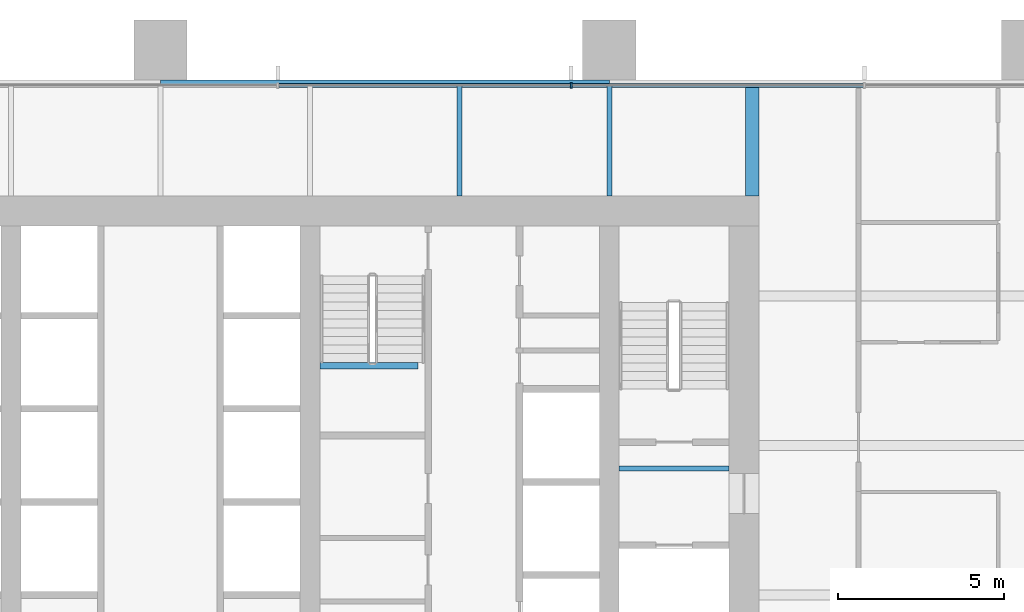
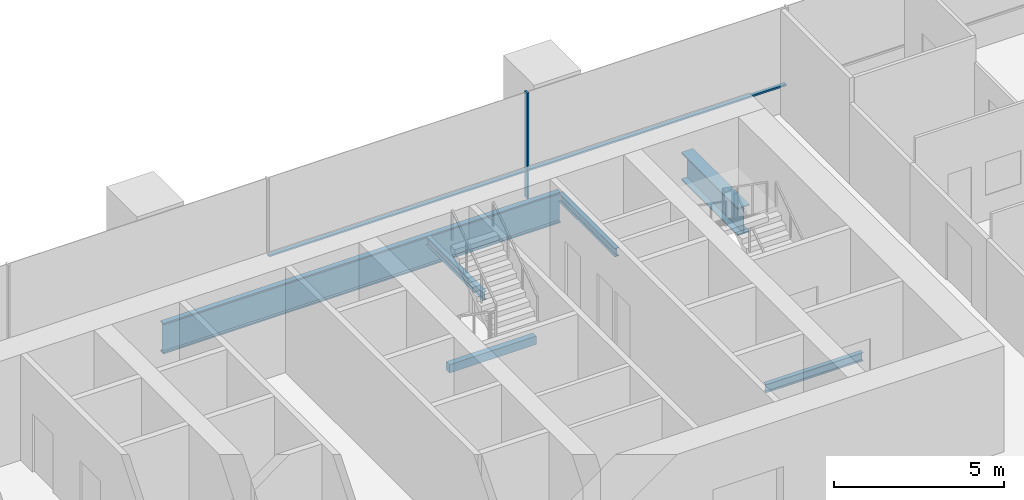
# One storey, part 9 of 17: 6 beams, 3 members, 1 element without a shape of its own.
"""IFC4 building model written with IfcOpenShell, lengths in metres."""

import ifcopenshell
import ifcopenshell.guid

model = None  # the IFC model being written
_history = None  # IfcOwnerHistory: only IFC2X3 demands one
_inside = {}  # id of a spatial element -> (the spatial element, [elements in it])
_under = {}  # id of a project, library or spatial element -> (it, [spatial elements below it])
_declared = {}  # id of a project -> (the project, [libraries it declares])
_typed = {}  # id of a type object -> (the type object, [elements of that type])
_made_of = {}  # id of a material, layer set ... -> (it, [elements and type objects made of it])


def new_model(schema):
    """Start an empty IFC model of exactly this schema.

    Asked for "IFC4X3", IfcOpenShell would pick the latest addendum, in which some entities
    have other attributes; the version numbers below select the first issue.
    IFC2X3 requires an IfcOwnerHistory on every rooted entity: one is made here for all.
    """
    global model, _history
    if schema == "IFC4X3":
        model = ifcopenshell.file(schema_version=(4, 3, 0, 0))
    else:
        model = ifcopenshell.file(schema=schema)
    _inside.clear()
    _under.clear()
    _declared.clear()
    _typed.clear()
    _made_of.clear()
    _history = None
    if model.schema == "IFC2X3":
        org = make("IfcOrganization", Name="unknown")
        user = make(
            "IfcPersonAndOrganization",
            ThePerson=make("IfcPerson", FamilyName="unknown"),
            TheOrganization=org,
        )
        app = make(
            "IfcApplication",
            ApplicationDeveloper=org,
            Version="unknown",
            ApplicationFullName="unknown",
            ApplicationIdentifier="unknown",
        )
        _history = make(
            "IfcOwnerHistory",
            OwningUser=user,
            OwningApplication=app,
            ChangeAction="ADDED",
            CreationDate=0,
        )
    return model


def make(cls, **values):
    """One entity of the class cls with the attributes given. An attribute that is None is left unset."""
    return model.create_entity(
        cls, **{name: value for name, value in values.items() if value is not None}
    )


def rooted(cls, **values):
    """An entity with a GlobalId (a new one), such as an element, a storey or a relation."""
    return make(cls, GlobalId=ifcopenshell.guid.new(), OwnerHistory=_history, **values)


def si_unit(unit_type, name, prefix=None):
    """IfcSIUnit, for example si_unit("LENGTHUNIT", "METRE", prefix="MILLI")."""
    return make("IfcSIUnit", UnitType=unit_type, Prefix=prefix, Name=name)


def assignment(units):
    """IfcUnitAssignment: the units of a project."""
    return None if units is None else make("IfcUnitAssignment", Units=units)


def point(xyz):
    """IfcCartesianPoint."""
    return None if xyz is None else make("IfcCartesianPoint", Coordinates=xyz)


def direction(xyz):
    """IfcDirection."""
    return None if xyz is None else make("IfcDirection", DirectionRatios=xyz)


def frame(location, z_axis=None, x_axis=None):
    """IfcAxis2Placement3D, a coordinate frame: its origin and axes. An axis left out is left unset."""
    return make(
        "IfcAxis2Placement3D",
        Location=point(location),
        Axis=direction(z_axis),
        RefDirection=direction(x_axis),
    )


def frame_2d(location, x_axis=None):
    """IfcAxis2Placement2D, a coordinate frame in the plane: its origin and x axis."""
    return make(
        "IfcAxis2Placement2D", Location=point(location), RefDirection=direction(x_axis)
    )


def origin():
    """The frame at (0, 0, 0) with its axes left unset."""
    return frame((0.0, 0.0, 0.0))


def origin_2d():
    """The frame at (0, 0) in the plane with its x axis left unset."""
    return frame_2d((0.0, 0.0))


def place(relative_to, where):
    """IfcLocalPlacement: puts the frame where relative to a parent placement (None: the world)."""
    return make(
        "IfcLocalPlacement", PlacementRelTo=relative_to, RelativePlacement=where
    )


def context(
    kind, dimensions, precision=None, world=None, true_north=None, identifier=None
):
    """IfcGeometricRepresentationContext, for example the 3D "Model" context."""
    return make(
        "IfcGeometricRepresentationContext",
        ContextIdentifier=identifier,
        ContextType=kind,
        CoordinateSpaceDimension=dimensions,
        Precision=precision,
        WorldCoordinateSystem=world,
        TrueNorth=true_north,
    )


def subcontext(parent, identifier, kind, view, scale=None):
    """IfcGeometricRepresentationSubContext, for example "Body" below "Model"."""
    return make(
        "IfcGeometricRepresentationSubContext",
        ContextIdentifier=identifier,
        ContextType=kind,
        ParentContext=parent,
        TargetScale=scale,
        TargetView=view,
    )


def project(units=None, contexts=None):
    """IfcProject with its units and contexts."""
    return rooted(
        "IfcProject",
        Name="project",
        RepresentationContexts=contexts,
        UnitsInContext=assignment(units),
    )


def spatial(cls, under=None, at=None, **own):
    """A site, building, storey or space (cls), placed at a placement, below another one or the project."""
    s = rooted(cls, ObjectPlacement=at, **own)
    if under is not None:
        _under.setdefault(under.id(), (under, []))[1].append(s)
    return s


def profile(cls, at=None, kind="AREA", **sizes):
    """A parametric profile (cls). Its sizes go by their IFC names, for example OverallWidth=200.0."""
    return make(cls, ProfileType=kind, Position=at, **sizes)


def rectangle(**sizes):
    """IfcRectangleProfileDef."""
    return profile("IfcRectangleProfileDef", **sizes)


def i_section(**sizes):
    """IfcIShapeProfileDef."""
    return profile("IfcIShapeProfileDef", **sizes)


def extrude(swept, where, along, depth):
    """IfcExtrudedAreaSolid: the profile swept, set in the frame where, extruded along a direction by depth."""
    return make(
        "IfcExtrudedAreaSolid",
        SweptArea=swept,
        Position=where,
        ExtrudedDirection=direction(along),
        Depth=depth,
    )


def shape(context_of_items, identifier, shape_type, items):
    """IfcShapeRepresentation: the items that make up one representation, for example the "Body"."""
    return make(
        "IfcShapeRepresentation",
        ContextOfItems=context_of_items,
        RepresentationIdentifier=identifier,
        RepresentationType=shape_type,
        Items=items,
    )


def material(Name=None, Category=None):
    """IfcMaterial."""
    return make("IfcMaterial", Name=Name, Category=Category)


def material_profile(
    of_material, cross_section, Name=None, Category=None, Priority=None
):
    """IfcMaterialProfile: a cross section and its material."""
    return make(
        "IfcMaterialProfile",
        Name=Name,
        Material=of_material,
        Profile=cross_section,
        Priority=Priority,
        Category=Category,
    )


def profile_set(profiles, Name=None, composite=None):
    """IfcMaterialProfileSet."""
    return make(
        "IfcMaterialProfileSet",
        Name=Name,
        MaterialProfiles=profiles,
        CompositeProfile=composite,
    )


def made_of(thing, what):
    """Note that an element or type object is made of a material, layer set ...; save() writes the relation."""
    if what is not None:
        _made_of.setdefault(what.id(), (what, []))[1].append(thing)
    return thing


def type_object(cls, material=None, **own):
    """A type object (cls), such as IfcWallType, which elements share."""
    return made_of(rooted(cls, **own), material)


def element(
    cls,
    number,
    at=None,
    inside=None,
    cuts=None,
    type_object=None,
    material=None,
    context=None,
    identifier="Body",
    shape_type=None,
    held_by="IfcProductDefinitionShape",
    body=None,
    shapes=None,
    **own,
):
    """One element of the class cls, such as IfcWall. Its Tag is "e" and its number.

    at: its placement. inside: the storey or other place that contains it. cuts: it is an
    opening in that element (IfcRelVoidsElement). A single representation is given by context,
    identifier, shape_type and body (its items); several are given by shapes. held_by: the class
    of the entity that holds the representations. save() writes the other relations.
    """
    e = rooted(cls, Tag="e%d" % number, ObjectPlacement=at, **own)
    if body is not None:
        shapes = [shape(context, identifier, shape_type, body)]
    if shapes is not None:
        e.Representation = make(held_by, Representations=shapes)
    if inside is not None:
        _inside.setdefault(inside.id(), (inside, []))[1].append(e)
    if cuts is not None:
        rooted(
            "IfcRelVoidsElement", RelatingBuildingElement=cuts, RelatedOpeningElement=e
        )
    if type_object is not None:
        _typed.setdefault(type_object.id(), (type_object, []))[1].append(e)
    return made_of(e, material)


def aggregate(whole, parts):
    """IfcRelAggregates: a whole, such as a stair, and the parts it consists of."""
    return rooted("IfcRelAggregates", RelatingObject=whole, RelatedObjects=parts)


def save(model, path):
    """Write the relations noted so far, then the file.

    IfcRelAggregates (storeys below a building ...), IfcRelContainedInSpatialStructure (elements
    in a storey), IfcRelDefinesByType, IfcRelAssociatesMaterial and IfcRelDeclares: one each for
    every whole, place, type object, material and project.
    """
    for whole, parts in _under.values():
        aggregate(whole, parts)
    for where, things in _inside.values():
        rooted(
            "IfcRelContainedInSpatialStructure",
            RelatedElements=things,
            RelatingStructure=where,
        )
    for kind, things in _typed.values():
        rooted("IfcRelDefinesByType", RelatedObjects=things, RelatingType=kind)
    for what, things in _made_of.values():
        rooted("IfcRelAssociatesMaterial", RelatedObjects=things, RelatingMaterial=what)
    for by, libraries in _declared.values():
        rooted("IfcRelDeclares", RelatingContext=by, RelatedDefinitions=libraries)
    model.write(path)


model = new_model("IFC4")

# Units and contexts
model_context = context("Model", 3, precision=1e-05, world=origin(), true_north=direction((0.0, 1.0)))
body_context = subcontext(model_context, "Body", "Model", "MODEL_VIEW")
ifc_project = project(units=[si_unit("LENGTHUNIT", "METRE"), si_unit("AREAUNIT", "SQUARE_METRE"), si_unit("VOLUMEUNIT", "CUBIC_METRE"), si_unit("PLANEANGLEUNIT", "RADIAN"), si_unit("MASSUNIT", "GRAM", prefix="KILO")], contexts=[model_context])

# Site, building, storey
site_placement = place(None, origin())
site = spatial("IfcSite", under=ifc_project, at=site_placement, CompositionType="ELEMENT")
building_placement = place(site_placement, origin())
building = spatial("IfcBuilding", under=site, at=building_placement, Name="Rattan Terrace Tower", CompositionType="ELEMENT")
storey_placement = place(building_placement, frame((0.0, 0.0, 83.699951171875)))
storey = spatial("IfcBuildingStorey", under=building, at=storey_placement, Name="L18", CompositionType="ELEMENT", Elevation=83.699951171875)

# Beam
ifc_material_1 = material(Name="Concrete C40/50", Category="concrete")
ifc_material_profile_1 = material_profile(ifc_material_1, rectangle(XDim=0.199951171875, YDim=0.300048828125, at=origin_2d()), Name="RC 200x300")
ifc_profile_set_1 = profile_set([ifc_material_profile_1], Name="Concrete C40/50")
beam_type_1 = type_object("IfcBeamType", Name="Core landing beam RC 200x300", PredefinedType="BEAM", material=ifc_profile_set_1)
beam_1_placement = place(storey_placement, frame((4.800048828125, 2.39990234375, 1.650146484375), z_axis=(1.0, 0.0, 0.0), x_axis=(0.0, 1.0, 0.0)))
element("IfcBeam", 1, at=beam_1_placement, inside=storey, type_object=beam_type_1, Name="st-S3-L18 landing 1 edge beam", PredefinedType="BEAM", context=body_context, shape_type="SweptSolid", body=[
    extrude(rectangle(XDim=0.199951171875, YDim=0.300048828125, at=origin_2d()), origin(), (0.0, 0.0, 1.0), 2.949951171875),
])

# Curtain wall, members
ifc_material_2 = material(Name="Aluminium and glass", Category="aluminium")
curtain_wall_type = type_object("IfcCurtainWallType", Name="Facade Unitised Curtain Wall", PredefinedType="NOTDEFINED", material=ifc_material_2)
curtain_wall_placement = place(storey_placement, origin())
curtain_wall = element("IfcCurtainWall", 2, at=curtain_wall_placement, inside=storey, type_object=curtain_wall_type, Name="Curtain wall L18-2", PredefinedType="NOTDEFINED")
ifc_material_3 = material(Name="Aluminium", Category="aluminium")
ifc_material_profile_2 = material_profile(ifc_material_3, rectangle(XDim=0.06005859375, YDim=0.159912109375, at=origin_2d()), Name="Aluminium 60x160")
ifc_profile_set_2 = profile_set([ifc_material_profile_2], Name="Aluminium")
member_type_1 = type_object("IfcMemberType", Name="Facade CW Mullion 60x160", PredefinedType="MULLION", material=ifc_profile_set_2)
member_1_placement = place(storey_placement, frame((12.35400390625, 10.830078125, 0.0), z_axis=(0.0, 0.0, 1.0), x_axis=(-1.0, 0.0, 0.0)))
member_1 = element("IfcMember", 3, at=member_1_placement, type_object=member_type_1, Name="Mullion cwl-L18-002.3", PredefinedType="MULLION", context=body_context, shape_type="SweptSolid", body=[
    extrude(rectangle(XDim=0.06005859375, YDim=0.159912109375, at=origin_2d()), origin(), (0.0, 0.0, 1.0), 3.800048828125),
])
ifc_material_4 = material(Name="Aluminium", Category="aluminium")
ifc_material_profile_3 = material_profile(ifc_material_4, rectangle(XDim=0.1201171875, YDim=0.06005859375, at=origin_2d()), Name="Aluminium 120x60")
ifc_profile_set_3 = profile_set([ifc_material_profile_3], Name="Aluminium")
member_type_2 = type_object("IfcMemberType", Name="Facade CW Transom 120x60", PredefinedType="USERDEFINED", material=ifc_profile_set_3)
member_2_placement = place(storey_placement, frame((21.14697265625, 10.830078125, 1.0), z_axis=(-1.0, 0.0, 0.0), x_axis=(0.0, -1.0, 0.0)))
member_2 = element("IfcMember", 4, at=member_2_placement, type_object=member_type_2, Name="Transom cwl-L18-002.2", ObjectType="TRANSOM", PredefinedType="USERDEFINED", context=body_context, shape_type="SweptSolid", body=[
    extrude(rectangle(XDim=0.1201171875, YDim=0.06005859375, at=origin_2d()), origin(), (0.0, 0.0, 1.0), 8.762939453125),
])
member_3_placement = place(storey_placement, frame((12.323974609375, 10.830078125, 1.0), z_axis=(-1.0, 0.0, 0.0), x_axis=(0.0, -1.0, 0.0)))
member_3 = element("IfcMember", 5, at=member_3_placement, type_object=member_type_2, Name="Transom cwl-L18-002.3", ObjectType="TRANSOM", PredefinedType="USERDEFINED", context=body_context, shape_type="SweptSolid", body=[
    extrude(rectangle(XDim=0.1201171875, YDim=0.06005859375, at=origin_2d()), origin(), (0.0, 0.0, 1.0), 8.762939453125),
])
aggregate(curtain_wall, [member_1, member_2, member_3])

# Beams
ifc_material_5 = material(Name="Steel S460", Category="steel")
ifc_material_profile_4 = material_profile(ifc_material_5, i_section(OverallWidth=0.39990234375, OverallDepth=1.0, WebThickness=0.01806640625, FlangeThickness=0.044921875, at=origin_2d()), Name="PG 1000x400-18-45")
ifc_profile_set_4 = profile_set([ifc_material_profile_4], Name="Steel S460")
beam_type_2 = type_object("IfcBeamType", Name="Frame core girder PG 1000x400-18-45", PredefinedType="BEAM", material=ifc_profile_set_4)
beam_2_placement = place(storey_placement, frame((17.800048828125, 7.5, -0.699951171875), z_axis=(0.0, 1.0, 0.0), x_axis=(-1.0, 0.0, 0.0)))
element("IfcBeam", 6, at=beam_2_placement, inside=storey, type_object=beam_type_2, Name="gdr-L18-010", PredefinedType="BEAM", context=body_context, shape_type="SweptSolid", body=[
    extrude(i_section(OverallWidth=0.39990234375, OverallDepth=1.0, WebThickness=0.01806640625, FlangeThickness=0.044921875, at=origin_2d()), origin(), (0.0, 0.0, 1.0), 3.320068359375),
])
ifc_material_6 = material(Name="Steel S460", Category="steel")
ifc_material_profile_5 = material_profile(ifc_material_6, i_section(OverallWidth=0.179931640625, OverallDepth=1.10009765625, WebThickness=0.01611328125, FlangeThickness=0.050048828125, at=origin_2d()), Name="PG 1100x180-16-50")
ifc_profile_set_5 = profile_set([ifc_material_profile_5], Name="Steel S460")
beam_type_3 = type_object("IfcBeamType", Name="Frame edge girder PG 1100x180-16-50", PredefinedType="SPANDREL", material=ifc_profile_set_5)
beam_3_placement = place(storey_placement, frame((13.5, 10.909912109375, -0.75), z_axis=(-1.0, 0.0, 0.0), x_axis=(0.0, -1.0, 0.0)))
element("IfcBeam", 7, at=beam_3_placement, inside=storey, type_object=beam_type_3, Name="gdr-L18-007", PredefinedType="SPANDREL", context=body_context, shape_type="SweptSolid", body=[
    extrude(i_section(OverallWidth=0.179931640625, OverallDepth=1.10009765625, WebThickness=0.01611328125, FlangeThickness=0.050048828125, at=origin_2d()), origin(), (0.0, 0.0, 1.0), 13.5),
])
ifc_material_7 = material(Name="Steel S355", Category="steel")
ifc_material_profile_6 = material_profile(ifc_material_7, i_section(OverallWidth=0.14990234375, OverallDepth=0.300048828125, WebThickness=0.007080078125, FlangeThickness=0.0107421875, FilletRadius=0.014892578125, at=origin_2d()), Name="IPE 300")
ifc_profile_set_6 = profile_set([ifc_material_profile_6], Name="Steel S355")
beam_type_4 = type_object("IfcBeamType", Name="Frame floor beam IPE 300", PredefinedType="JOIST", material=ifc_profile_set_6)
beam_4_placement = place(storey_placement, frame((13.800048828125, -0.695068359375, -0.349853515625), z_axis=(1.0, 0.0, 0.0), x_axis=(0.0, 1.0, 0.0)))
element("IfcBeam", 8, at=beam_4_placement, inside=storey, type_object=beam_type_4, Name="bm-L18-002", PredefinedType="JOIST", context=body_context, shape_type="SweptSolid", body=[
    extrude(i_section(OverallWidth=0.14990234375, OverallDepth=0.300048828125, WebThickness=0.007080078125, FlangeThickness=0.0107421875, FilletRadius=0.014892578125, at=origin_2d()), origin(), (0.0, 0.0, 1.0), 3.300048828125),
])
for number, where, z_axis, x_axis, name in (
    (9, (9.0, 7.5, -0.349853515625), (0.0, 1.0, 0.0), (-1.0, 0.0, 0.0), "bm-L18-023"),
    (10, (13.5, 7.5, -0.349853515625), (0.0, 1.0, 0.0), (-1.0, 0.0, 0.0), "bm-L18-024"),
):
    element("IfcBeam", number, at=place(storey_placement, frame(where, z_axis=z_axis, x_axis=x_axis)), inside=storey, type_object=beam_type_4, Name=name, PredefinedType="JOIST", context=body_context, shape_type="SweptSolid", body=[
        extrude(i_section(OverallWidth=0.14990234375, OverallDepth=0.300048828125, WebThickness=0.007080078125, FlangeThickness=0.0107421875, FilletRadius=0.014892578125, at=origin_2d()), origin(), (0.0, 0.0, 1.0), 3.320068359375),
    ])

save(model, "model.ifc")
